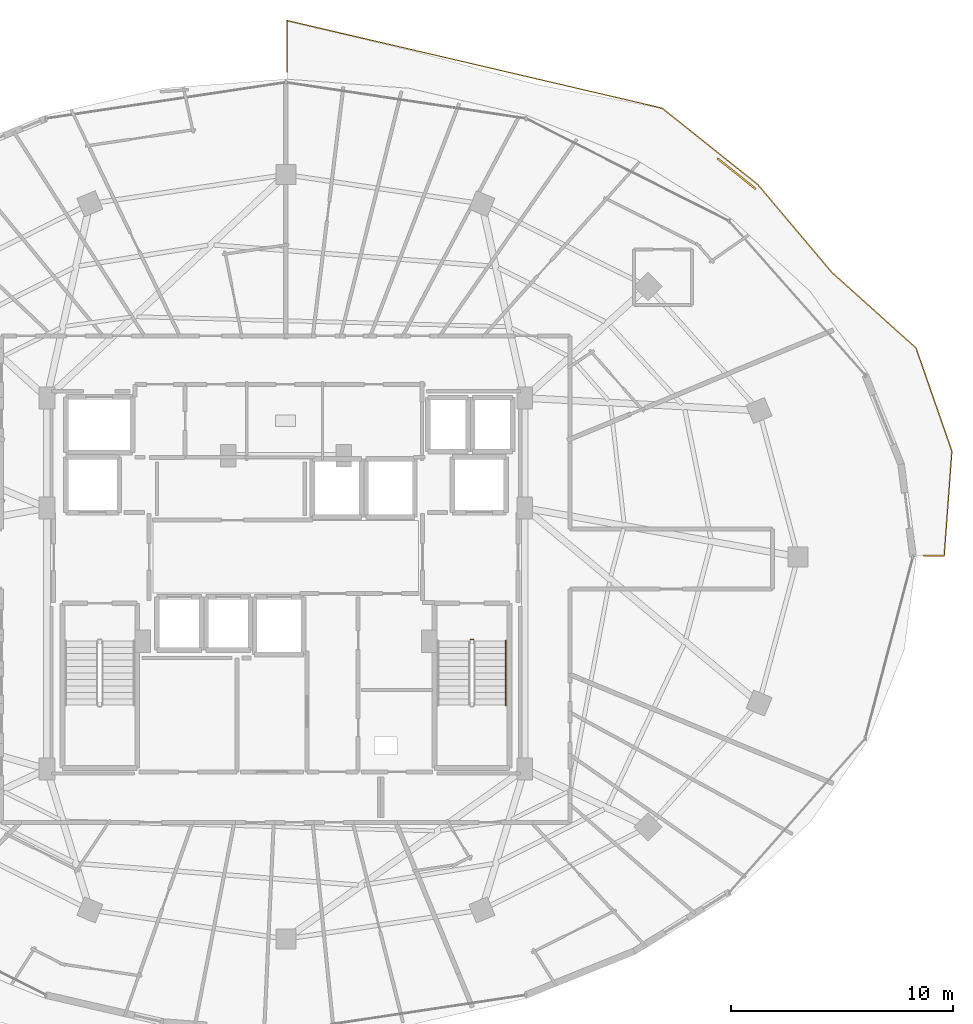
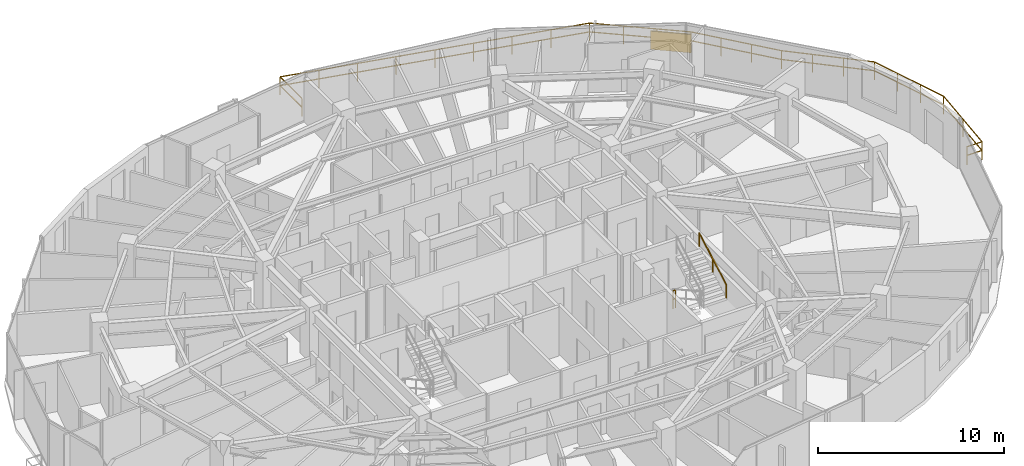
# One storey, part 32 of 33: 4 railings, 1 shading device.
"""IFC4 building model written with IfcOpenShell, lengths in metres."""

from ifc_helpers import new_model, si_unit, direction, frame, origin, origin_2d, place, context, subcontext, project, spatial, rectangle, extrude, material, type_object, element, save


model = new_model("IFC4")

# Units and contexts
model_context = context("Model", 3, precision=1e-05, world=origin(), true_north=direction((0.0, 1.0)))
body_context = subcontext(model_context, "Body", "Model", "MODEL_VIEW")
ifc_project = project(units=[si_unit("LENGTHUNIT", "METRE"), si_unit("AREAUNIT", "SQUARE_METRE"), si_unit("VOLUMEUNIT", "CUBIC_METRE"), si_unit("PLANEANGLEUNIT", "RADIAN"), si_unit("MASSUNIT", "GRAM", prefix="KILO")], contexts=[model_context])

# Site, building, storey
site_placement = place(None, origin())
site = spatial("IfcSite", under=ifc_project, at=site_placement, CompositionType="ELEMENT")
building_placement = place(site_placement, origin())
building = spatial("IfcBuilding", under=site, at=building_placement, Name="Vorneva Point Tower", CompositionType="ELEMENT")
storey_placement = place(building_placement, frame((0.0, 0.0, 221.39990234375)))
storey = spatial("IfcBuildingStorey", under=building, at=storey_placement, Name="L60", CompositionType="ELEMENT", Elevation=221.39990234375)

# Railings
ifc_material_1 = material(Name="Pale anodised aluminium", Category="aluminium")
railing_type_1 = type_object("IfcRailingType", Name="RL-BAL-1200", PredefinedType="BALUSTRADE", material=ifc_material_1)
railing_1_placement = place(storey_placement, frame((38.050048828125, 50.137939453125, 0.0)))
element("IfcRailing", 1, at=railing_1_placement, inside=storey, type_object=railing_type_1, Name="L60 Wave Balcony Balustrade NE.1", PredefinedType="BALUSTRADE", context=body_context, shape_type="SweptSolid", body=[
    extrude(rectangle(XDim=0.048095703125, YDim=0.048095703125, at=origin_2d()), frame((0.0, 0.0, 1.17578125), z_axis=(0.0, -1.0, 0.0), x_axis=(1.0, 0.0, 0.0)), (0.0, 0.0, 1.0), 2.32080078125),
    extrude(rectangle(XDim=0.048095703125, YDim=0.048095703125, at=origin_2d()), frame((0.0, 0.0, 0.60009765625), z_axis=(0.0, -1.0, 0.0), x_axis=(1.0, 0.0, 0.0)), (0.0, 0.0, 1.0), 2.32080078125),
    extrude(rectangle(XDim=0.0419921875, YDim=0.0419921875, at=origin_2d()), origin(), (0.0, 0.0, 1.0), 1.15185546875),
    extrude(rectangle(XDim=0.0419921875, YDim=0.0419921875, at=origin_2d()), frame((0.0, -2.32080078125, 0.0)), (0.0, 0.0, 1.0), 1.15185546875),
])
railing_2_placement = place(storey_placement, frame((66.6962890625, 26.050048828125, 0.0)))
element("IfcRailing", 2, at=railing_2_placement, inside=storey, type_object=railing_type_1, Name="L60 Wave Balcony Balustrade NE.2", PredefinedType="BALUSTRADE", context=body_context, shape_type="SweptSolid", body=[
    extrude(rectangle(XDim=0.048095703125, YDim=0.048095703125, at=origin_2d()), frame((0.0, 0.0, 1.17578125), z_axis=(1.0, 0.0, 0.0), x_axis=(0.0, 1.0, 0.0)), (0.0, 0.0, 1.0), 0.9375),
    extrude(rectangle(XDim=0.048095703125, YDim=0.048095703125, at=origin_2d()), frame((0.0, 0.0, 0.60009765625), z_axis=(1.0, 0.0, 0.0), x_axis=(0.0, 1.0, 0.0)), (0.0, 0.0, 1.0), 0.9375),
    extrude(rectangle(XDim=0.048095703125, YDim=0.048095703125, at=origin_2d()), frame((0.9375, 0.0, 1.17578125), z_axis=(0.073338251452, 0.997307124648, 0.0), x_axis=(-0.997307124648, 0.073338251452, 0.0)), (0.0, 0.0, 1.0), 4.720458984375),
    extrude(rectangle(XDim=0.048095703125, YDim=0.048095703125, at=origin_2d()), frame((0.9375, 0.0, 0.60009765625), z_axis=(0.073338251452, 0.997307124648, 0.0), x_axis=(-0.997307124648, 0.073338251452, 0.0)), (0.0, 0.0, 1.0), 4.720458984375),
    extrude(rectangle(XDim=0.048095703125, YDim=0.048095703125, at=origin_2d()), frame((1.28369140625, 4.707763671875, 1.17578125), z_axis=(-0.328537961783, 0.944490766322, 0.0), x_axis=(-0.944490766322, -0.328537961783, 0.0)), (0.0, 0.0, 1.0), 4.915771484375),
    extrude(rectangle(XDim=0.048095703125, YDim=0.048095703125, at=origin_2d()), frame((1.28369140625, 4.707763671875, 0.60009765625), z_axis=(-0.328537961783, 0.944490766322, 0.0), x_axis=(-0.944490766322, -0.328537961783, 0.0)), (0.0, 0.0, 1.0), 4.915771484375),
    extrude(rectangle(XDim=0.048095703125, YDim=0.048095703125, at=origin_2d()), frame((-0.331298828125, 9.3505859375, 1.17578125), z_axis=(-0.743803703003, 0.668398123425, 0.0), x_axis=(-0.668398123425, -0.743803703003, 0.0)), (0.0, 0.0, 1.0), 5.09619140625),
    extrude(rectangle(XDim=0.048095703125, YDim=0.048095703125, at=origin_2d()), frame((-0.331298828125, 9.3505859375, 0.60009765625), z_axis=(-0.743803703003, 0.668398123425, 0.0), x_axis=(-0.668398123425, -0.743803703003, 0.0)), (0.0, 0.0, 1.0), 5.09619140625),
    extrude(rectangle(XDim=0.048095703125, YDim=0.048095703125, at=origin_2d()), frame((-4.121826171875, 12.7568359375, 1.17578125), z_axis=(-0.644460214612, 0.764637843545, 0.0), x_axis=(-0.764637843545, -0.644460214612, 0.0)), (0.0, 0.0, 1.0), 5.166015625),
    extrude(rectangle(XDim=0.048095703125, YDim=0.048095703125, at=origin_2d()), frame((-4.121826171875, 12.7568359375, 0.60009765625), z_axis=(-0.644460214612, 0.764637843545, 0.0), x_axis=(-0.764637843545, -0.644460214612, 0.0)), (0.0, 0.0, 1.0), 5.166015625),
    extrude(rectangle(XDim=0.048095703125, YDim=0.048095703125, at=origin_2d()), frame((-7.451171875, 16.70703125, 1.17578125), z_axis=(-0.781581742766, 0.62380283694, 0.0), x_axis=(-0.62380283694, -0.781581742766, 0.0)), (0.0, 0.0, 1.0), 5.508544921875),
    extrude(rectangle(XDim=0.048095703125, YDim=0.048095703125, at=origin_2d()), frame((-7.451171875, 16.70703125, 0.60009765625), z_axis=(-0.781581742766, 0.62380283694, 0.0), x_axis=(-0.62380283694, -0.781581742766, 0.0)), (0.0, 0.0, 1.0), 5.508544921875),
    extrude(rectangle(XDim=0.048095703125, YDim=0.048095703125, at=origin_2d()), frame((-11.756591796875, 20.143310546875, 1.17578125), z_axis=(-0.973794466116, 0.2274298524, 0.0), x_axis=(-0.2274298524, -0.973794466116, 0.0)), (0.0, 0.0, 1.0), 17.34423828125),
    extrude(rectangle(XDim=0.048095703125, YDim=0.048095703125, at=origin_2d()), frame((-11.756591796875, 20.143310546875, 0.60009765625), z_axis=(-0.973794466116, 0.2274298524, 0.0), x_axis=(-0.2274298524, -0.973794466116, 0.0)), (0.0, 0.0, 1.0), 17.34423828125),
    extrude(rectangle(XDim=0.0419921875, YDim=0.0419921875, at=origin_2d()), origin(), (0.0, 0.0, 1.0), 1.15185546875),
    extrude(rectangle(XDim=0.0419921875, YDim=0.0419921875, at=origin_2d()), frame((0.9375, 0.0, 0.0)), (0.0, 0.0, 1.0), 1.15185546875),
    extrude(rectangle(XDim=0.0419921875, YDim=0.0419921875, at=origin_2d()), frame((1.110595703125, 2.35400390625, 0.0)), (0.0, 0.0, 1.0), 1.15185546875),
    extrude(rectangle(XDim=0.0419921875, YDim=0.0419921875, at=origin_2d()), frame((1.28369140625, 4.707763671875, 0.0)), (0.0, 0.0, 1.0), 1.15185546875),
    extrude(rectangle(XDim=0.0419921875, YDim=0.0419921875, at=origin_2d()), frame((0.745361328125, 6.25537109375, 0.0)), (0.0, 0.0, 1.0), 1.15185546875),
    extrude(rectangle(XDim=0.0419921875, YDim=0.0419921875, at=origin_2d()), frame((0.20703125, 7.802978515625, 0.0)), (0.0, 0.0, 1.0), 1.15185546875),
    extrude(rectangle(XDim=0.0419921875, YDim=0.0419921875, at=origin_2d()), frame((-0.331298828125, 9.3505859375, 0.0)), (0.0, 0.0, 1.0), 1.15185546875),
    extrude(rectangle(XDim=0.0419921875, YDim=0.0419921875, at=origin_2d()), frame((-1.5947265625, 10.486083984375, 0.0)), (0.0, 0.0, 1.0), 1.15185546875),
    extrude(rectangle(XDim=0.0419921875, YDim=0.0419921875, at=origin_2d()), frame((-2.8583984375, 11.621337890625, 0.0)), (0.0, 0.0, 1.0), 1.15185546875),
    extrude(rectangle(XDim=0.0419921875, YDim=0.0419921875, at=origin_2d()), frame((-4.121826171875, 12.7568359375, 0.0)), (0.0, 0.0, 1.0), 1.15185546875),
    extrude(rectangle(XDim=0.0419921875, YDim=0.0419921875, at=origin_2d()), frame((-5.231689453125, 14.073486328125, 0.0)), (0.0, 0.0, 1.0), 1.15185546875),
    extrude(rectangle(XDim=0.0419921875, YDim=0.0419921875, at=origin_2d()), frame((-6.34130859375, 15.390380859375, 0.0)), (0.0, 0.0, 1.0), 1.15185546875),
    extrude(rectangle(XDim=0.0419921875, YDim=0.0419921875, at=origin_2d()), frame((-7.451171875, 16.70703125, 0.0)), (0.0, 0.0, 1.0), 1.15185546875),
    extrude(rectangle(XDim=0.0419921875, YDim=0.0419921875, at=origin_2d()), frame((-8.88623046875, 17.8525390625, 0.0)), (0.0, 0.0, 1.0), 1.15185546875),
    extrude(rectangle(XDim=0.0419921875, YDim=0.0419921875, at=origin_2d()), frame((-10.321533203125, 18.997802734375, 0.0)), (0.0, 0.0, 1.0), 1.15185546875),
    extrude(rectangle(XDim=0.0419921875, YDim=0.0419921875, at=origin_2d()), frame((-11.756591796875, 20.143310546875, 0.0)), (0.0, 0.0, 1.0), 1.15185546875),
    extrude(rectangle(XDim=0.0419921875, YDim=0.0419921875, at=origin_2d()), frame((-13.86767578125, 20.636474609375, 0.0)), (0.0, 0.0, 1.0), 1.15185546875),
    extrude(rectangle(XDim=0.0419921875, YDim=0.0419921875, at=origin_2d()), frame((-15.97900390625, 21.12939453125, 0.0)), (0.0, 0.0, 1.0), 1.15185546875),
    extrude(rectangle(XDim=0.0419921875, YDim=0.0419921875, at=origin_2d()), frame((-18.09033203125, 21.62255859375, 0.0)), (0.0, 0.0, 1.0), 1.15185546875),
    extrude(rectangle(XDim=0.0419921875, YDim=0.0419921875, at=origin_2d()), frame((-20.201416015625, 22.11572265625, 0.0)), (0.0, 0.0, 1.0), 1.15185546875),
    extrude(rectangle(XDim=0.0419921875, YDim=0.0419921875, at=origin_2d()), frame((-22.3125, 22.608642578125, 0.0)), (0.0, 0.0, 1.0), 1.15185546875),
    extrude(rectangle(XDim=0.0419921875, YDim=0.0419921875, at=origin_2d()), frame((-24.423828125, 23.101806640625, 0.0)), (0.0, 0.0, 1.0), 1.15185546875),
    extrude(rectangle(XDim=0.0419921875, YDim=0.0419921875, at=origin_2d()), frame((-26.53515625, 23.5947265625, 0.0)), (0.0, 0.0, 1.0), 1.15185546875),
    extrude(rectangle(XDim=0.0419921875, YDim=0.0419921875, at=origin_2d()), frame((-28.646240234375, 24.087890625, 0.0)), (0.0, 0.0, 1.0), 1.15185546875),
])
ifc_material_2 = material(Name="Brushed stainless steel S304", Category="steel")
railing_type_2 = type_object("IfcRailingType", Name="RL-HND-920", PredefinedType="HANDRAIL", material=ifc_material_2)
railing_3_placement = place(storey_placement, frame((47.89990234375, 19.320068359375, 1.9365234375)))
element("IfcRailing", 3, at=railing_3_placement, inside=storey, type_object=railing_type_2, Name="L60 ST2 stair handrail 2", PredefinedType="HANDRAIL", context=body_context, shape_type="SweptSolid", body=[
    extrude(rectangle(XDim=0.048095703125, YDim=0.048095703125, at=origin_2d()), frame((0.0, 0.0, 0.8759765625), z_axis=(0.0, 0.873841303929, 0.486211245805), x_axis=(-1.0, 0.0, 0.0)), (0.0, 0.0, 1.0), 3.318603515625),
    extrude(rectangle(XDim=0.0419921875, YDim=0.0419921875, at=origin_2d()), origin(), (0.0, 0.0, 1.0), 0.851806640625),
    extrude(rectangle(XDim=0.0419921875, YDim=0.0419921875, at=origin_2d()), frame((0.0, 1.449951171875, 0.806640625)), (0.0, 0.0, 1.0), 0.851806640625),
    extrude(rectangle(XDim=0.0419921875, YDim=0.0419921875, at=origin_2d()), frame((0.0, 2.89990234375, 1.613525390625)), (0.0, 0.0, 1.0), 0.851806640625),
])
railing_type_3 = type_object("IfcRailingType", Name="RL-STG-1100", PredefinedType="GUARDRAIL", material=ifc_material_2)
railing_4_placement = place(storey_placement, frame((46.300048828125, 22.27001953125, 0.0)))
element("IfcRailing", 4, at=railing_4_placement, inside=storey, type_object=railing_type_3, Name="L60 ST2 stair guard 4", PredefinedType="GUARDRAIL", context=body_context, shape_type="SweptSolid", body=[
    extrude(rectangle(XDim=0.048095703125, YDim=0.048095703125, at=origin_2d()), frame((0.0, 0.0, 1.17578125), z_axis=(1.0, 0.0, 0.0), x_axis=(0.0, 1.0, 0.0)), (0.0, 0.0, 1.0), 0.14990234375),
    extrude(rectangle(XDim=0.048095703125, YDim=0.048095703125, at=origin_2d()), frame((0.0, 0.0, 0.60009765625), z_axis=(1.0, 0.0, 0.0), x_axis=(0.0, 1.0, 0.0)), (0.0, 0.0, 1.0), 0.14990234375),
    extrude(rectangle(XDim=0.0419921875, YDim=0.0419921875, at=origin_2d()), origin(), (0.0, 0.0, 1.0), 1.15185546875),
    extrude(rectangle(XDim=0.0419921875, YDim=0.0419921875, at=origin_2d()), frame((0.14990234375, 0.0, 0.0)), (0.0, 0.0, 1.0), 1.15185546875),
])

# Shading device
shading_device_type = type_object("IfcShadingDeviceType", Name="SHD-JAL-1200", PredefinedType="JALOUSIE", material=ifc_material_1)
shading_device_placement = place(storey_placement, frame((58.28564453125, 43.24658203125, -0.02001953125), z_axis=(0.0, 0.0, 1.0), x_axis=(-0.781574913208, 0.623811393807, 0.0)))
element("IfcShadingDevice", 5, at=shading_device_placement, inside=storey, type_object=shading_device_type, Name="L60 Balcony Vertical-Greenery Planter Screen NE.2", PredefinedType="JALOUSIE", context=body_context, shape_type="SweptSolid", body=[
    extrude(rectangle(XDim=2.199951171875, YDim=0.080078125, at=origin_2d()), origin(), (0.0, 0.0, 1.0), 1.199951171875),
])

save(model, "model.ifc")
